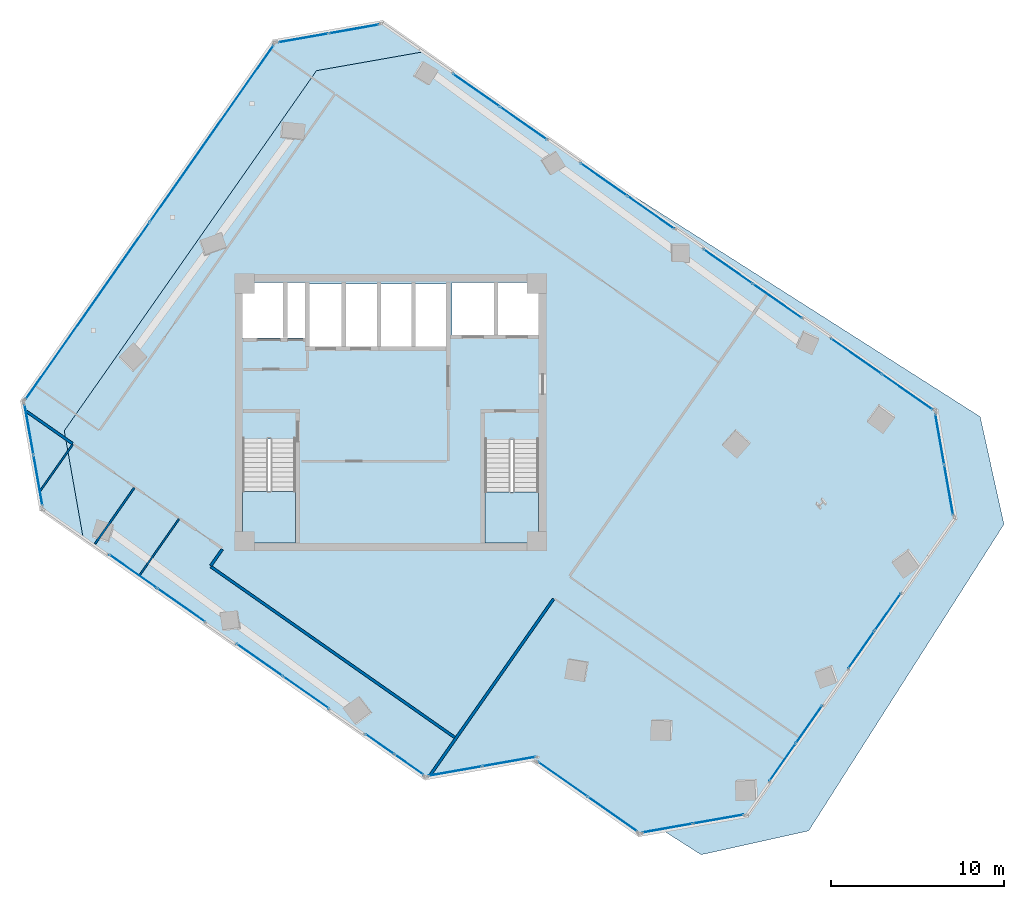
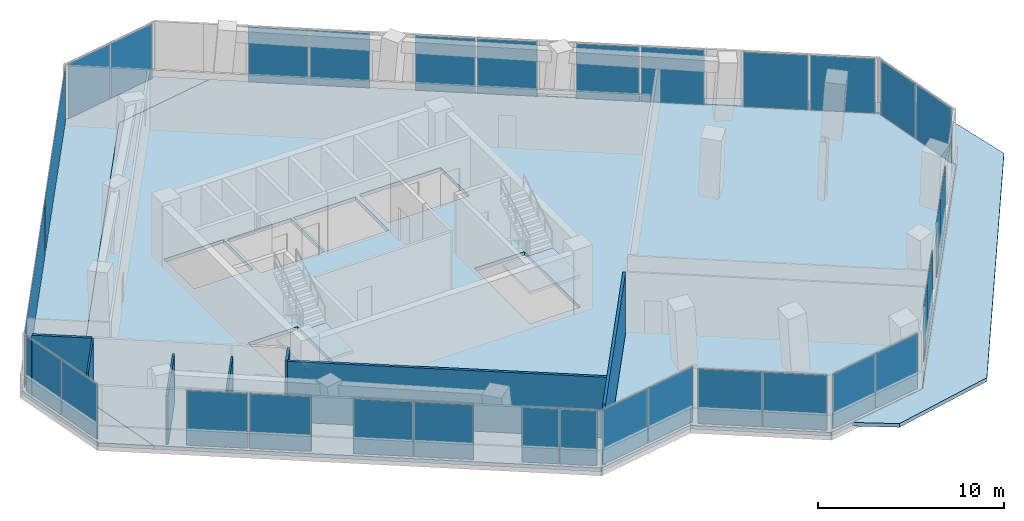
# One storey, part 17 of 22: 32 plates, 7 walls, 5 slabs, 18 elements without a shape of their own.
"""IFC4 building model written with IfcOpenShell, lengths in metres."""

from ifc_helpers import new_model, si_unit, direction, frame, frame_2d, origin, origin_2d, place, context, subcontext, project, spatial, polyline, rectangle, outline, extrude, source, transform, mapped, material, layer, layer_set, type_object, element, aggregate, save


model = new_model("IFC4")

# Units and contexts
model_context = context("Model", 3, precision=1e-05, world=origin(), true_north=direction((0.0, 1.0)))
body_context = subcontext(model_context, "Body", "Model", "MODEL_VIEW")
ifc_project = project(units=[si_unit("LENGTHUNIT", "METRE"), si_unit("AREAUNIT", "SQUARE_METRE"), si_unit("VOLUMEUNIT", "CUBIC_METRE"), si_unit("PLANEANGLEUNIT", "RADIAN"), si_unit("MASSUNIT", "GRAM", prefix="KILO")], contexts=[model_context])

# Site, building, storey
site_placement = place(None, origin())
site = spatial("IfcSite", under=ifc_project, at=site_placement, CompositionType="ELEMENT")
building_placement = place(site_placement, origin())
building = spatial("IfcBuilding", under=site, at=building_placement, Name="Torre Montelarca", CompositionType="ELEMENT")
storey_placement = place(building_placement, frame((0.0, 0.0, 196.0)))
storey = spatial("IfcBuildingStorey", under=building, at=storey_placement, Name="L44", CompositionType="ELEMENT", Elevation=196.0)

# Slabs
ifc_material_1 = material(Name="Concrete C40/50", Category="concrete")
ifc_layer_1 = layer(ifc_material_1, 0.239990234375, Name="Concrete C40/50", Category="concrete")
ifc_layer_set_1 = layer_set([ifc_layer_1], Name="Concrete C40/50")
slab_type_1 = type_object("IfcSlabType", Name="SL-FLR-240", PredefinedType="FLOOR", material=ifc_layer_set_1)
slab_1_placement = place(storey_placement, frame((0.0, 0.0, -0.239990234375)))
element("IfcSlab", 1, at=slab_1_placement, inside=storey, type_object=slab_type_1, Name="L44 Structural Floor Slab", PredefinedType="FLOOR", context=body_context, shape_type="SweptSolid", body=[
    extrude(outline(polyline([(19.98974609375, 10.83935546875), (26.2568359375, 11.944580078125), (26.19970703125, 11.862548828125), (32.34326171875, 7.560791015625), (38.610595703125, 8.666015625), (50.655517578125, 25.8681640625), (49.550537109375, 32.135498046875), (19.97900390625, 52.841552734375), (13.7119140625, 51.736328125), (-0.85693359375, 30.929931640625), (0.248046875, 24.66259765625), (19.98974609375, 10.83935546875)]), holes=[polyline([(26.550048828125, 24.449951171875), (23.43994140625, 24.449951171875), (23.43994140625, 30.429931640625), (26.550048828125, 30.429931640625), (26.550048828125, 24.449951171875)]), polyline([(9.449951171875, 24.449951171875), (9.449951171875, 30.4599609375), (12.5, 30.4599609375), (12.5, 24.449951171875), (9.449951171875, 24.449951171875)]), polyline([(17.25, 35.800048828125), (13.300048828125, 35.800048828125), (13.300048828125, 39.39990234375), (17.25, 39.39990234375), (17.25, 35.800048828125)]), polyline([(21.25, 39.39990234375), (21.25, 35.800048828125), (17.39990234375, 35.800048828125), (17.39990234375, 39.39990234375), (21.25, 39.39990234375)]), polyline([(13.1201171875, 36.300048828125), (9.449951171875, 36.300048828125), (9.449951171875, 39.5), (13.1201171875, 39.5), (13.1201171875, 36.300048828125)]), polyline([(26.60009765625, 36.449951171875), (21.550048828125, 36.449951171875), (21.550048828125, 39.5), (26.60009765625, 39.5), (26.60009765625, 36.449951171875)])]), origin(), (0.0, 0.0, 1.0), 0.239990234375),
])
slab_2_placement = place(storey_placement, frame((0.0, 0.0, -0.239990234375)))
element("IfcSlab", 2, at=slab_2_placement, inside=storey, type_object=slab_type_1, Name="L44 Sliding Tray Winter Garden Floor Slab W1", PredefinedType="FLOOR", context=body_context, shape_type="SweptSolid", body=[
    extrude(outline(polyline([(0.248046875, 24.66259765625), (-0.85693359375, 30.929931640625), (13.7119140625, 51.736328125), (19.97900390625, 52.841552734375), (17.521728515625, 54.562255859375), (11.25439453125, 53.45703125), (-3.314453125, 32.650634765625), (-2.20947265625, 26.38330078125), (0.248046875, 24.66259765625)])), origin(), (0.0, 0.0, 1.0), 0.239990234375),
])
ifc_material_2 = material(Name="Architectural concrete C40/50", Category="concrete")
ifc_layer_2 = layer(ifc_material_2, 0.239990234375, Name="Architectural concrete C40/50", Category="concrete")
ifc_layer_set_2 = layer_set([ifc_layer_2], Name="Architectural concrete C40/50")
slab_type_2 = type_object("IfcSlabType", Name="SL-ROOF-EXT-240", PredefinedType="ROOF", material=ifc_layer_set_2)
slab_3_placement = place(storey_placement, frame((0.0, 0.0, -0.239990234375)))
element("IfcSlab", 3, at=slab_3_placement, inside=storey, type_object=slab_type_2, Name="L43 Setback and Tray Overhang Roof Cap Slab 01", PredefinedType="ROOF", context=body_context, shape_type="SweptSolid", body=[
    extrude(outline(polyline([(49.557861328125, 32.14013671875), (50.6640625, 25.8662109375), (38.615234375, 8.65869140625), (33.7900390625, 7.807861328125), (35.92919921875, 6.445068359375), (42.14208984375, 7.822509765625), (53.425537109375, 25.53369140625), (52.048095703125, 31.746826171875), (30.656982421875, 45.37451171875), (49.557861328125, 32.14013671875)])), origin(), (0.0, 0.0, 1.0), 0.239990234375),
])

# Stair, slab
stair_type_1 = type_object("IfcStairType", Name="ST-CORE-ST1", PredefinedType="HALF_TURN_STAIR", material=ifc_material_1)
stair_1_placement = place(storey_placement, origin())
stair_1 = element("IfcStair", 4, at=stair_1_placement, inside=storey, type_object=stair_type_1, Name="L44 Protected Exit Stair ST1", PredefinedType="HALF_TURN_STAIR")
ifc_layer_3 = layer(ifc_material_1, 0.199951171875, Name="Concrete C40/50", Category="concrete")
ifc_layer_set_3 = layer_set([ifc_layer_3], Name="Concrete C40/50")
slab_type_3 = type_object("IfcSlabType", Name="SL-ST-LAND-ST1", PredefinedType="LANDING", material=ifc_layer_set_3)
slab_4_placement = place(storey_placement, frame((0.0, 0.0, 1.89990234375)))
slab_4 = element("IfcSlab", 5, at=slab_4_placement, type_object=slab_type_3, Name="ST1 landing 1", PredefinedType="LANDING", context=body_context, shape_type="SweptSolid", body=[
    extrude(outline(polyline([(9.449951171875, 27.419921875), (9.449951171875, 24.449951171875), (12.5, 24.449951171875), (12.5, 27.419921875), (9.449951171875, 27.419921875)])), origin(), (0.0, 0.0, 1.0), 0.2001953125),
])
aggregate(stair_1, [slab_4])

stair_type_2 = type_object("IfcStairType", Name="ST-CORE-ST2", PredefinedType="HALF_TURN_STAIR", material=ifc_material_1)
stair_2_placement = place(storey_placement, origin())
stair_2 = element("IfcStair", 6, at=stair_2_placement, inside=storey, type_object=stair_type_2, Name="L44 Protected Exit Stair ST2", PredefinedType="HALF_TURN_STAIR")
ifc_layer_4 = layer(ifc_material_1, 0.199951171875, Name="Concrete C40/50", Category="concrete")
ifc_layer_set_4 = layer_set([ifc_layer_4], Name="Concrete C40/50")
slab_type_4 = type_object("IfcSlabType", Name="SL-ST-LAND-ST2", PredefinedType="LANDING", material=ifc_layer_set_4)
slab_5_placement = place(storey_placement, frame((0.0, 0.0, 1.89990234375)))
slab_5 = element("IfcSlab", 7, at=slab_5_placement, type_object=slab_type_4, Name="ST2 landing 1", PredefinedType="LANDING", context=body_context, shape_type="SweptSolid", body=[
    extrude(outline(polyline([(23.43994140625, 27.389892578125), (23.43994140625, 24.449951171875), (26.550048828125, 24.449951171875), (26.550048828125, 27.389892578125), (23.43994140625, 27.389892578125)])), origin(), (0.0, 0.0, 1.0), 0.2001953125),
])
aggregate(stair_2, [slab_5])

# Curtain wall, plates
ifc_material_3 = material(Name="Insulated low-E laminated glass", Category="glass")
curtain_wall_type = type_object("IfcCurtainWallType", Name="CW-SYS-Z2", PredefinedType="USERDEFINED", material=ifc_material_3)
curtain_wall_1_placement = place(storey_placement, origin())
curtain_wall_1 = element("IfcCurtainWall", 8, at=curtain_wall_1_placement, inside=storey, type_object=curtain_wall_type, Name="L44 Curtain Wall Run CW-T3-L44-E02-B1", ObjectType="UNITISED GLAZING", PredefinedType="USERDEFINED")
ifc_layer_5 = layer(ifc_material_3, 0.031982421875, Name="Insulated low-E laminated glass", Category="glass")
ifc_layer_set_5 = layer_set([ifc_layer_5], Name="Insulated low-E laminated glass")
plate_type = type_object("IfcPlateType", Name="CWP-GLZ-32", PredefinedType="CURTAIN_PANEL", material=ifc_layer_set_5)
shared_shape_1 = source(origin(), body_context, "Body", "SweptSolid", [
    extrude(rectangle(XDim=3.102294921875, YDim=0.031982421875, at=origin_2d()), origin(), (0.0, 0.0, 1.0), 3.590087890625),
])
plate_1_placement = place(storey_placement, frame((21.72216796875, 11.27685546875, 0.06494140625), z_axis=(0.0, 0.0, 1.0), x_axis=(0.984809975216, 0.173635574451, 0.0)))
plate_1 = element("IfcPlate", 9, at=plate_1_placement, type_object=plate_type, Name="CW panel 1.1", PredefinedType="CURTAIN_PANEL", context=body_context, shape_type="MappedRepresentation", body=[
    mapped(shared_shape_1, transform((0.0, 0.0, 0.0), scale=1.0)),
])
plate_2_placement = place(storey_placement, frame((24.84130859375, 11.826904296875, 0.06494140625), z_axis=(0.0, 0.0, 1.0), x_axis=(0.984809975216, 0.173635574451, 0.0)))
plate_2 = element("IfcPlate", 10, at=plate_2_placement, type_object=plate_type, Name="CW panel 2.1", PredefinedType="CURTAIN_PANEL", context=body_context, shape_type="MappedRepresentation", body=[
    mapped(shared_shape_1, transform((0.0, 0.0, 0.0), scale=1.0)),
])
aggregate(curtain_wall_1, [plate_1, plate_2])

curtain_wall_2_placement = place(storey_placement, origin())
curtain_wall_2 = element("IfcCurtainWall", 11, at=curtain_wall_2_placement, inside=storey, type_object=curtain_wall_type, Name="L44 Curtain Wall Run CW-T3-L44-E05-B1", ObjectType="UNITISED GLAZING", PredefinedType="USERDEFINED")
shared_shape_2 = source(origin(), body_context, "Body", "SweptSolid", [
    extrude(rectangle(XDim=2.918701171875, YDim=0.031982421875, at=origin_2d()), origin(), (0.0, 0.0, 1.0), 3.590087890625),
])
plate_3_placement = place(storey_placement, frame((33.985107421875, 7.982421875, 0.06494140625), z_axis=(0.0, 0.0, 1.0), x_axis=(0.984810249404, 0.173634019333, 0.0)))
plate_3 = element("IfcPlate", 12, at=plate_3_placement, type_object=plate_type, Name="CW panel 1.1", PredefinedType="CURTAIN_PANEL", context=body_context, shape_type="MappedRepresentation", body=[
    mapped(shared_shape_2, transform((0.0, 0.0, 0.0), scale=1.0)),
])
plate_4_placement = place(storey_placement, frame((36.92333984375, 8.50048828125, 0.06494140625), z_axis=(0.0, 0.0, 1.0), x_axis=(0.984810249404, 0.173634019333, 0.0)))
plate_4 = element("IfcPlate", 13, at=plate_4_placement, type_object=plate_type, Name="CW panel 2.1", PredefinedType="CURTAIN_PANEL", context=body_context, shape_type="MappedRepresentation", body=[
    mapped(shared_shape_2, transform((0.0, 0.0, 0.0), scale=1.0)),
])
aggregate(curtain_wall_2, [plate_3, plate_4])

curtain_wall_3_placement = place(storey_placement, origin())
curtain_wall_3 = element("IfcCurtainWall", 14, at=curtain_wall_3_placement, inside=storey, type_object=curtain_wall_type, Name="L44 Curtain Wall Run CW-T3-L44-E07-B1", ObjectType="UNITISED GLAZING", PredefinedType="USERDEFINED")
plate_5_placement = place(storey_placement, frame((50.234130859375, 27.510009765625, 0.06494140625), z_axis=(0.0, 0.0, 1.0), x_axis=(-0.173634019333, 0.984810249404, 0.0)))
plate_5 = element("IfcPlate", 15, at=plate_5_placement, type_object=plate_type, Name="CW panel 1.1", PredefinedType="CURTAIN_PANEL", context=body_context, shape_type="MappedRepresentation", body=[
    mapped(shared_shape_2, transform((0.0, 0.0, 0.0), scale=1.0)),
])
plate_6_placement = place(storey_placement, frame((49.716064453125, 30.4482421875, 0.06494140625), z_axis=(0.0, 0.0, 1.0), x_axis=(-0.173634019333, 0.984810249404, 0.0)))
plate_6 = element("IfcPlate", 16, at=plate_6_placement, type_object=plate_type, Name="CW panel 2.1", PredefinedType="CURTAIN_PANEL", context=body_context, shape_type="MappedRepresentation", body=[
    mapped(shared_shape_2, transform((0.0, 0.0, 0.0), scale=1.0)),
])
aggregate(curtain_wall_3, [plate_5, plate_6])

curtain_wall_4_placement = place(storey_placement, origin())
curtain_wall_4 = element("IfcCurtainWall", 17, at=curtain_wall_4_placement, inside=storey, type_object=curtain_wall_type, Name="L44 Curtain Wall Run CW-T3-L44-E09-B1", ObjectType="UNITISED GLAZING", PredefinedType="USERDEFINED")
plate_7_placement = place(storey_placement, frame((15.879638671875, 54.140625, 0.06494140625), z_axis=(0.0, 0.0, 1.0), x_axis=(-0.984810249404, -0.173634019333, 0.0)))
plate_7 = element("IfcPlate", 18, at=plate_7_placement, type_object=plate_type, Name="CW panel 1.1", PredefinedType="CURTAIN_PANEL", context=body_context, shape_type="MappedRepresentation", body=[
    mapped(shared_shape_2, transform((0.0, 0.0, 0.0), scale=1.0)),
])
plate_8_placement = place(storey_placement, frame((12.94140625, 53.62255859375, 0.06494140625), z_axis=(0.0, 0.0, 1.0), x_axis=(-0.984810249404, -0.173634019333, 0.0)))
plate_8 = element("IfcPlate", 19, at=plate_8_placement, type_object=plate_type, Name="CW panel 2.1", PredefinedType="CURTAIN_PANEL", context=body_context, shape_type="MappedRepresentation", body=[
    mapped(shared_shape_2, transform((0.0, 0.0, 0.0), scale=1.0)),
])
aggregate(curtain_wall_4, [plate_7, plate_8])

curtain_wall_5_placement = place(storey_placement, origin())
curtain_wall_5 = element("IfcCurtainWall", 20, at=curtain_wall_5_placement, inside=storey, type_object=curtain_wall_type, Name="L44 Curtain Wall Run CW-T3-L44-E11-B1", ObjectType="UNITISED GLAZING", PredefinedType="USERDEFINED")
shared_shape_3 = source(origin(), body_context, "Body", "SweptSolid", [
    extrude(rectangle(XDim=2.91845703125, YDim=0.031982421875, at=origin_2d()), origin(), (0.0, 0.0, 1.0), 3.590087890625),
])
plate_9_placement = place(storey_placement, frame((-2.892822265625, 31.0087890625, 0.06494140625), z_axis=(0.0, 0.0, 1.0), x_axis=(0.173620775944, -0.984812584282, 0.0)))
plate_9 = element("IfcPlate", 21, at=plate_9_placement, type_object=plate_type, Name="CW panel 1.1", PredefinedType="CURTAIN_PANEL", context=body_context, shape_type="MappedRepresentation", body=[
    mapped(shared_shape_3, transform((0.0, 0.0, 0.0), scale=1.0)),
])
plate_10_placement = place(storey_placement, frame((-2.374755859375, 28.0703125, 0.06494140625), z_axis=(0.0, 0.0, 1.0), x_axis=(0.173620775944, -0.984812584282, 0.0)))
plate_10 = element("IfcPlate", 22, at=plate_10_placement, type_object=plate_type, Name="CW panel 2.1", PredefinedType="CURTAIN_PANEL", context=body_context, shape_type="MappedRepresentation", body=[
    mapped(shared_shape_3, transform((0.0, 0.0, 0.0), scale=1.0)),
])
aggregate(curtain_wall_5, [plate_9, plate_10])

curtain_wall_6_placement = place(storey_placement, origin())
curtain_wall_6 = element("IfcCurtainWall", 23, at=curtain_wall_6_placement, inside=storey, type_object=curtain_wall_type, Name="L44 Curtain Wall Run CW-T3-L44-E08-B2", ObjectType="UNITISED GLAZING", PredefinedType="USERDEFINED")
shared_shape_4 = source(origin(), body_context, "Body", "SweptSolid", [
    extrude(rectangle(XDim=3.422607421875, YDim=0.031982421875, at=origin_2d()), origin(), (0.0, 0.0, 1.0), 3.590087890625),
])
plate_11_placement = place(storey_placement, frame((40.33740234375, 38.427734375, 0.06494140625), z_axis=(0.0, 0.0, 1.0), x_axis=(-0.819149163221, 0.57358055092, 0.0)))
plate_11 = element("IfcPlate", 24, at=plate_11_placement, type_object=plate_type, Name="CW panel 1.1", PredefinedType="CURTAIN_PANEL", context=body_context, shape_type="MappedRepresentation", body=[
    mapped(shared_shape_4, transform((0.0, 0.0, 0.0), scale=1.0)),
])
plate_12_placement = place(storey_placement, frame((37.48046875, 40.42822265625, 0.06494140625), z_axis=(0.0, 0.0, 1.0), x_axis=(-0.819149163221, 0.57358055092, 0.0)))
plate_12 = element("IfcPlate", 25, at=plate_12_placement, type_object=plate_type, Name="CW panel 2.1", PredefinedType="CURTAIN_PANEL", context=body_context, shape_type="MappedRepresentation", body=[
    mapped(shared_shape_4, transform((0.0, 0.0, 0.0), scale=1.0)),
])
aggregate(curtain_wall_6, [plate_11, plate_12])

curtain_wall_7_placement = place(storey_placement, origin())
curtain_wall_7 = element("IfcCurtainWall", 26, at=curtain_wall_7_placement, inside=storey, type_object=curtain_wall_type, Name="L44 Curtain Wall Run CW-T3-L44-E01-B3", ObjectType="UNITISED GLAZING", PredefinedType="USERDEFINED")
shared_shape_5 = source(origin(), body_context, "Body", "SweptSolid", [
    extrude(rectangle(XDim=1.9921875, YDim=0.031982421875, at=origin_2d()), origin(), (0.0, 0.0, 1.0), 3.590087890625),
])
plate_13_placement = place(storey_placement, frame((17.374267578125, 12.82958984375, 0.06494140625), z_axis=(0.0, 0.0, 1.0), x_axis=(0.819158846588, -0.573566721538, 0.0)))
plate_13 = element("IfcPlate", 27, at=plate_13_placement, type_object=plate_type, Name="CW panel 1.1", PredefinedType="CURTAIN_PANEL", context=body_context, shape_type="MappedRepresentation", body=[
    mapped(shared_shape_5, transform((0.0, 0.0, 0.0), scale=1.0)),
])
plate_14_placement = place(storey_placement, frame((19.059326171875, 11.649658203125, 0.06494140625), z_axis=(0.0, 0.0, 1.0), x_axis=(0.819158846588, -0.573566721538, 0.0)))
plate_14 = element("IfcPlate", 28, at=plate_14_placement, type_object=plate_type, Name="CW panel 2.1", PredefinedType="CURTAIN_PANEL", context=body_context, shape_type="MappedRepresentation", body=[
    mapped(shared_shape_5, transform((0.0, 0.0, 0.0), scale=1.0)),
])
aggregate(curtain_wall_7, [plate_13, plate_14])

curtain_wall_8_placement = place(storey_placement, origin())
curtain_wall_8 = element("IfcCurtainWall", 29, at=curtain_wall_8_placement, inside=storey, type_object=curtain_wall_type, Name="L44 Curtain Wall Run CW-T3-L44-E01-B1", ObjectType="UNITISED GLAZING", PredefinedType="USERDEFINED")
shared_shape_6 = source(origin(), body_context, "Body", "SweptSolid", [
    extrude(rectangle(XDim=3.328857421875, YDim=0.031982421875, at=origin_2d()), origin(), (0.0, 0.0, 1.0), 3.590087890625),
])
plate_15_placement = place(storey_placement, frame((3.115478515625, 22.8134765625, 0.06494140625), z_axis=(0.0, 0.0, 1.0), x_axis=(0.819157874495, -0.573568109864, 0.0)))
plate_15 = element("IfcPlate", 30, at=plate_15_placement, type_object=plate_type, Name="CW panel 1.1", PredefinedType="CURTAIN_PANEL", context=body_context, shape_type="MappedRepresentation", body=[
    mapped(shared_shape_6, transform((0.0, 0.0, 0.0), scale=1.0)),
])
plate_16_placement = place(storey_placement, frame((5.895751953125, 20.866943359375, 0.06494140625), z_axis=(0.0, 0.0, 1.0), x_axis=(0.819157874495, -0.573568109864, 0.0)))
plate_16 = element("IfcPlate", 31, at=plate_16_placement, type_object=plate_type, Name="CW panel 2.1", PredefinedType="CURTAIN_PANEL", context=body_context, shape_type="MappedRepresentation", body=[
    mapped(shared_shape_6, transform((0.0, 0.0, 0.0), scale=1.0)),
])
aggregate(curtain_wall_8, [plate_15, plate_16])

curtain_wall_9_placement = place(storey_placement, origin())
curtain_wall_9 = element("IfcCurtainWall", 32, at=curtain_wall_9_placement, inside=storey, type_object=curtain_wall_type, Name="L44 Curtain Wall Run CW-T3-L44-E01-B2", ObjectType="UNITISED GLAZING", PredefinedType="USERDEFINED")
shared_shape_7 = source(origin(), body_context, "Body", "SweptSolid", [
    extrude(rectangle(XDim=3.19677734375, YDim=0.031982421875, at=origin_2d()), origin(), (0.0, 0.0, 1.0), 3.590087890625),
])
plate_17_placement = place(storey_placement, frame((10.433837890625, 17.689208984375, 0.06494140625), z_axis=(0.0, 0.0, 1.0), x_axis=(0.819155614484, -0.573571337551, 0.0)))
plate_17 = element("IfcPlate", 33, at=plate_17_placement, type_object=plate_type, Name="CW panel 1.1", PredefinedType="CURTAIN_PANEL", context=body_context, shape_type="MappedRepresentation", body=[
    mapped(shared_shape_7, transform((0.0, 0.0, 0.0), scale=1.0)),
])
plate_18_placement = place(storey_placement, frame((13.105712890625, 15.818359375, 0.06494140625), z_axis=(0.0, 0.0, 1.0), x_axis=(0.819155614484, -0.573571337551, 0.0)))
plate_18 = element("IfcPlate", 34, at=plate_18_placement, type_object=plate_type, Name="CW panel 2.1", PredefinedType="CURTAIN_PANEL", context=body_context, shape_type="MappedRepresentation", body=[
    mapped(shared_shape_7, transform((0.0, 0.0, 0.0), scale=1.0)),
])
aggregate(curtain_wall_9, [plate_17, plate_18])

curtain_wall_10_placement = place(storey_placement, origin())
curtain_wall_10 = element("IfcCurtainWall", 35, at=curtain_wall_10_placement, inside=storey, type_object=curtain_wall_type, Name="L44 Curtain Wall Run CW-T3-L44-E08-B3", ObjectType="UNITISED GLAZING", PredefinedType="USERDEFINED")
shared_shape_8 = source(origin(), body_context, "Body", "SweptSolid", [
    extrude(rectangle(XDim=3.2568359375, YDim=0.031982421875, at=origin_2d()), origin(), (0.0, 0.0, 1.0), 3.590087890625),
])
plate_19_placement = place(storey_placement, frame((33.03271484375, 43.54248046875, 0.06494140625), z_axis=(0.0, 0.0, 1.0), x_axis=(-0.819153480405, 0.573574385359, 0.0)))
plate_19 = element("IfcPlate", 36, at=plate_19_placement, type_object=plate_type, Name="CW panel 1.1", PredefinedType="CURTAIN_PANEL", context=body_context, shape_type="MappedRepresentation", body=[
    mapped(shared_shape_8, transform((0.0, 0.0, 0.0), scale=1.0)),
])
plate_20_placement = place(storey_placement, frame((30.311767578125, 45.44775390625, 0.06494140625), z_axis=(0.0, 0.0, 1.0), x_axis=(-0.819153480405, 0.573574385359, 0.0)))
plate_20 = element("IfcPlate", 37, at=plate_20_placement, type_object=plate_type, Name="CW panel 2.1", PredefinedType="CURTAIN_PANEL", context=body_context, shape_type="MappedRepresentation", body=[
    mapped(shared_shape_8, transform((0.0, 0.0, 0.0), scale=1.0)),
])
aggregate(curtain_wall_10, [plate_19, plate_20])

curtain_wall_11_placement = place(storey_placement, origin())
curtain_wall_11 = element("IfcCurtainWall", 38, at=curtain_wall_11_placement, inside=storey, type_object=curtain_wall_type, Name="L44 Curtain Wall Run CW-T3-L44-E08-B4", ObjectType="UNITISED GLAZING", PredefinedType="USERDEFINED")
shared_shape_9 = source(origin(), body_context, "Body", "SweptSolid", [
    extrude(rectangle(XDim=3.255859375, YDim=0.031982421875, at=origin_2d()), origin(), (0.0, 0.0, 1.0), 3.590087890625),
])
plate_21_placement = place(storey_placement, frame((25.660888671875, 48.704345703125, 0.06494140625), z_axis=(0.0, 0.0, 1.0), x_axis=(-0.819154156712, 0.573573419487, 0.0)))
plate_21 = element("IfcPlate", 39, at=plate_21_placement, type_object=plate_type, Name="CW panel 1.1", PredefinedType="CURTAIN_PANEL", context=body_context, shape_type="MappedRepresentation", body=[
    mapped(shared_shape_9, transform((0.0, 0.0, 0.0), scale=1.0)),
])
plate_22_placement = place(storey_placement, frame((22.940673828125, 50.609130859375, 0.06494140625), z_axis=(0.0, 0.0, 1.0), x_axis=(-0.819154156712, 0.573573419487, 0.0)))
plate_22 = element("IfcPlate", 40, at=plate_22_placement, type_object=plate_type, Name="CW panel 2.1", PredefinedType="CURTAIN_PANEL", context=body_context, shape_type="MappedRepresentation", body=[
    mapped(shared_shape_9, transform((0.0, 0.0, 0.0), scale=1.0)),
])
aggregate(curtain_wall_11, [plate_21, plate_22])

curtain_wall_12_placement = place(storey_placement, origin())
curtain_wall_12 = element("IfcCurtainWall", 41, at=curtain_wall_12_placement, inside=storey, type_object=curtain_wall_type, Name="L44 Curtain Wall Run CW-T3-L44-E04-B1", ObjectType="UNITISED GLAZING", PredefinedType="USERDEFINED")
shared_shape_10 = source(origin(), body_context, "Body", "SweptSolid", [
    extrude(rectangle(XDim=3.44873046875, YDim=0.031982421875, at=origin_2d()), origin(), (0.0, 0.0, 1.0), 3.590087890625),
])
plate_23_placement = place(storey_placement, frame((27.93798828125, 10.803955078125, 0.06494140625), z_axis=(0.0, 0.0, 1.0), x_axis=(0.819165011136, -0.57355791733, 0.0)))
plate_23 = element("IfcPlate", 42, at=plate_23_placement, type_object=plate_type, Name="CW panel 1.1", PredefinedType="CURTAIN_PANEL", context=body_context, shape_type="MappedRepresentation", body=[
    mapped(shared_shape_10, transform((0.0, 0.0, 0.0), scale=1.0)),
])
plate_24_placement = place(storey_placement, frame((30.816162109375, 8.788818359375, 0.06494140625), z_axis=(0.0, 0.0, 1.0), x_axis=(0.819165011136, -0.57355791733, 0.0)))
plate_24 = element("IfcPlate", 43, at=plate_24_placement, type_object=plate_type, Name="CW panel 2.1", PredefinedType="CURTAIN_PANEL", context=body_context, shape_type="MappedRepresentation", body=[
    mapped(shared_shape_10, transform((0.0, 0.0, 0.0), scale=1.0)),
])
aggregate(curtain_wall_12, [plate_23, plate_24])

curtain_wall_13_placement = place(storey_placement, origin())
curtain_wall_13 = element("IfcCurtainWall", 44, at=curtain_wall_13_placement, inside=storey, type_object=curtain_wall_type, Name="L44 Curtain Wall Run CW-T3-L44-E08-B1", ObjectType="UNITISED GLAZING", PredefinedType="USERDEFINED")
shared_shape_11 = source(origin(), body_context, "Body", "SweptSolid", [
    extrude(rectangle(XDim=3.529541015625, YDim=0.031982421875, at=origin_2d()), origin(), (0.0, 0.0, 1.0), 3.590087890625),
])
plate_25_placement = place(storey_placement, frame((47.84130859375, 33.173583984375, 0.06494140625), z_axis=(0.0, 0.0, 1.0), x_axis=(-0.819156787617, 0.573569662117, 0.0)))
plate_25 = element("IfcPlate", 45, at=plate_25_placement, type_object=plate_type, Name="CW panel 1.1", PredefinedType="CURTAIN_PANEL", context=body_context, shape_type="MappedRepresentation", body=[
    mapped(shared_shape_11, transform((0.0, 0.0, 0.0), scale=1.0)),
])
plate_26_placement = place(storey_placement, frame((44.896728515625, 35.2353515625, 0.06494140625), z_axis=(0.0, 0.0, 1.0), x_axis=(-0.819156787617, 0.573569662117, 0.0)))
plate_26 = element("IfcPlate", 46, at=plate_26_placement, type_object=plate_type, Name="CW panel 2.1", PredefinedType="CURTAIN_PANEL", context=body_context, shape_type="MappedRepresentation", body=[
    mapped(shared_shape_11, transform((0.0, 0.0, 0.0), scale=1.0)),
])
aggregate(curtain_wall_13, [plate_25, plate_26])

curtain_wall_14_placement = place(storey_placement, origin())
curtain_wall_14 = element("IfcCurtainWall", 47, at=curtain_wall_14_placement, inside=storey, type_object=curtain_wall_type, Name="L44 Curtain Wall Run CW-T3-L44-E10-B1", ObjectType="UNITISED GLAZING", PredefinedType="USERDEFINED")
shared_shape_12 = source(origin(), body_context, "Body", "SweptSolid", [
    extrude(rectangle(XDim=12.436767578125, YDim=0.031982421875, at=origin_2d()), origin(), (0.0, 0.0, 1.0), 3.590087890625),
])
plate_27_placement = place(storey_placement, frame((7.661865234375, 48.099609375, 0.06494140625), z_axis=(0.0, 0.0, 1.0), x_axis=(-0.573568626271, -0.81915751291, 0.0)))
plate_27 = element("IfcPlate", 48, at=plate_27_placement, type_object=plate_type, Name="CW panel 1.1", PredefinedType="CURTAIN_PANEL", context=body_context, shape_type="MappedRepresentation", body=[
    mapped(shared_shape_12, transform((0.0, 0.0, 0.0), scale=1.0)),
])
plate_28_placement = place(storey_placement, frame((0.4912109375, 37.85888671875, 0.06494140625), z_axis=(0.0, 0.0, 1.0), x_axis=(-0.573568626271, -0.81915751291, 0.0)))
plate_28 = element("IfcPlate", 49, at=plate_28_placement, type_object=plate_type, Name="CW panel 2.1", PredefinedType="CURTAIN_PANEL", context=body_context, shape_type="MappedRepresentation", body=[
    mapped(shared_shape_12, transform((0.0, 0.0, 0.0), scale=1.0)),
])
aggregate(curtain_wall_14, [plate_27, plate_28])

curtain_wall_15_placement = place(storey_placement, origin())
curtain_wall_15 = element("IfcCurtainWall", 50, at=curtain_wall_15_placement, inside=storey, type_object=curtain_wall_type, Name="L44 Curtain Wall Run CW-T3-L44-E06-B1", ObjectType="UNITISED GLAZING", PredefinedType="USERDEFINED")
shared_shape_13 = source(origin(), body_context, "Body", "SweptSolid", [
    extrude(rectangle(XDim=2.595947265625, YDim=0.031982421875, at=origin_2d()), origin(), (0.0, 0.0, 1.0), 3.590087890625),
])
plate_29_placement = place(storey_placement, frame((40.636474609375, 11.7861328125, 0.06494140625), z_axis=(0.0, 0.0, 1.0), x_axis=(0.573566991509, 0.819158657557, 0.0)))
plate_29 = element("IfcPlate", 51, at=plate_29_placement, type_object=plate_type, Name="CW panel 1.1", PredefinedType="CURTAIN_PANEL", context=body_context, shape_type="MappedRepresentation", body=[
    mapped(shared_shape_13, transform((0.0, 0.0, 0.0), scale=1.0)),
])
plate_30_placement = place(storey_placement, frame((42.162841796875, 13.9658203125, 0.06494140625), z_axis=(0.0, 0.0, 1.0), x_axis=(0.573566991509, 0.819158657557, 0.0)))
plate_30 = element("IfcPlate", 52, at=plate_30_placement, type_object=plate_type, Name="CW panel 2.1", PredefinedType="CURTAIN_PANEL", context=body_context, shape_type="MappedRepresentation", body=[
    mapped(shared_shape_13, transform((0.0, 0.0, 0.0), scale=1.0)),
])
aggregate(curtain_wall_15, [plate_29, plate_30])

curtain_wall_16_placement = place(storey_placement, origin())
curtain_wall_16 = element("IfcCurtainWall", 53, at=curtain_wall_16_placement, inside=storey, type_object=curtain_wall_type, Name="L44 Curtain Wall Run CW-T3-L44-E06-B2", ObjectType="UNITISED GLAZING", PredefinedType="USERDEFINED")
shared_shape_14 = source(origin(), body_context, "Body", "SweptSolid", [
    extrude(rectangle(XDim=2.59521484375, YDim=0.031982421875, at=origin_2d()), origin(), (0.0, 0.0, 1.0), 3.590087890625),
])
plate_31_placement = place(storey_placement, frame((45.181884765625, 18.27734375, 0.06494140625), z_axis=(0.0, 0.0, 1.0), x_axis=(0.573573257317, 0.819154270264, 0.0)))
plate_31 = element("IfcPlate", 54, at=plate_31_placement, type_object=plate_type, Name="CW panel 1.1", PredefinedType="CURTAIN_PANEL", context=body_context, shape_type="MappedRepresentation", body=[
    mapped(shared_shape_14, transform((0.0, 0.0, 0.0), scale=1.0)),
])
plate_32_placement = place(storey_placement, frame((46.70751953125, 20.45654296875, 0.06494140625), z_axis=(0.0, 0.0, 1.0), x_axis=(0.573573257317, 0.819154270264, 0.0)))
plate_32 = element("IfcPlate", 55, at=plate_32_placement, type_object=plate_type, Name="CW panel 2.1", PredefinedType="CURTAIN_PANEL", context=body_context, shape_type="MappedRepresentation", body=[
    mapped(shared_shape_14, transform((0.0, 0.0, 0.0), scale=1.0)),
])
aggregate(curtain_wall_16, [plate_31, plate_32])

# Walls
ifc_material_4 = material(Name="Gypsum plasterboard on steel stud", Category="steel")
ifc_layer_6 = layer(ifc_material_4, 0.159912109375, Name="Gypsum plasterboard on steel stud", Category="steel")
ifc_layer_set_6 = layer_set([ifc_layer_6], Name="Gypsum plasterboard on steel stud")
wall_type_1 = type_object("IfcWallType", Name="PW-FIRE-160", PredefinedType="PARTITIONING", material=ifc_layer_set_6)
wall_1_placement = place(storey_placement, frame((-3.038330078125, 32.0546875, 0.0), z_axis=(0.0, 0.0, 1.0), x_axis=(0.819122229171, -0.573619014397, 0.0)))
element("IfcWall", 56, at=wall_1_placement, inside=storey, type_object=wall_type_1, Name="L44 Interior Partition W-L44-SOCCW", PredefinedType="PARTITIONING", context=body_context, shape_type="SweptSolid", body=[
    extrude(rectangle(XDim=3.241943359375, YDim=0.159912109375, at=frame_2d((1.62109375, 0.0))), origin(), (0.0, 0.0, 1.0), 3.9599609375),
])
wall_2_placement = place(storey_placement, frame((8.269287109375, 24.087890625, 0.0), z_axis=(0.0, 0.0, 1.0), x_axis=(-0.573787211882, -0.819004417253, 0.0)))
element("IfcWall", 57, at=wall_2_placement, inside=storey, type_object=wall_type_1, Name="L44 Interior Partition W-L44-SOCCW2", PredefinedType="PARTITIONING", context=body_context, shape_type="SweptSolid", body=[
    extrude(rectangle(XDim=1.159912109375, YDim=0.159912109375, at=frame_2d((0.580078125, 0.0))), origin(), (0.0, 0.0, 1.0), 3.9599609375),
])
wall_3_placement = place(storey_placement, frame((7.613525390625, 23.082275390625, 0.0), z_axis=(0.0, 0.0, 1.0), x_axis=(0.819144092075, -0.573587793123, 0.0)))
element("IfcWall", 58, at=wall_3_placement, inside=storey, type_object=wall_type_1, Name="L44 Interior Partition W-L44-SOCCN2", PredefinedType="PARTITIONING", context=body_context, shape_type="SweptSolid", body=[
    extrude(rectangle(XDim=17.239990234375, YDim=0.159912109375, at=frame_2d((8.6201171875, 0.0))), origin(), (0.0, 0.0, 1.0), 3.9599609375),
])
wall_4_placement = place(storey_placement, frame((20.293212890625, 11.06396484375, 0.0), z_axis=(0.0, 0.0, 1.0), x_axis=(0.573585209026, 0.819145901526, 0.0)))
element("IfcWall", 59, at=wall_4_placement, inside=storey, type_object=wall_type_1, Name="L44 Interior Partition W-L44-ECS", PredefinedType="PARTITIONING", context=body_context, shape_type="SweptSolid", body=[
    extrude(rectangle(XDim=12.40185546875, YDim=0.159912109375, at=frame_2d((6.200927734375, 0.0))), origin(), (0.0, 0.0, 1.0), 3.9599609375),
])
ifc_material_5 = material(Name="Acoustic laminated glass partition", Category="glass")
ifc_layer_7 = layer(ifc_material_5, 0.10009765625, Name="Acoustic laminated glass partition", Category="glass")
ifc_layer_set_7 = layer_set([ifc_layer_7], Name="Acoustic laminated glass partition")
wall_type_2 = type_object("IfcWallType", Name="PW-GLAZ-100", PredefinedType="PARTITIONING", material=ifc_layer_set_7)
wall_5_placement = place(storey_placement, frame((-2.232421875, 27.483642578125, 0.0), z_axis=(0.0, 0.0, 1.0), x_axis=(0.573583631645, 0.819147006043, 0.0)))
element("IfcWall", 60, at=wall_5_placement, inside=storey, type_object=wall_type_2, Name="L44 Interior Partition W-L44-WCW", PredefinedType="PARTITIONING", context=body_context, shape_type="SweptSolid", body=[
    extrude(rectangle(XDim=3.2421875, YDim=0.10009765625, at=frame_2d((1.62109375, 0.0))), origin(), (0.0, 0.0, 1.0), 3.9599609375),
])
wall_6_placement = place(storey_placement, frame((3.5048828125, 22.601806640625, 0.0), z_axis=(0.0, 0.0, 1.0), x_axis=(0.573624108016, 0.819118662163, 0.0)))
element("IfcWall", 61, at=wall_6_placement, inside=storey, type_object=wall_type_2, Name="L44 Interior Partition W-L44-SWCDIV", PredefinedType="PARTITIONING", context=body_context, shape_type="SweptSolid", body=[
    extrude(rectangle(XDim=3.9501953125, YDim=0.10009765625, at=frame_2d((1.97509765625, 0.0))), origin(), (0.0, 0.0, 1.0), 3.195068359375),
])
ifc_layer_8 = layer(ifc_material_4, 0.114990234375, Name="Gypsum plasterboard on steel stud", Category="steel")
ifc_layer_set_8 = layer_set([ifc_layer_8], Name="Gypsum plasterboard on steel stud")
wall_type_3 = type_object("IfcWallType", Name="PW-PART-115", PredefinedType="PARTITIONING", material=ifc_layer_set_8)
wall_7_placement = place(storey_placement, frame((0.9248046875, 24.40869140625, 0.0), z_axis=(0.0, 0.0, 1.0), x_axis=(0.573582636552, 0.819147702826, 0.0)))
element("IfcWall", 62, at=wall_7_placement, inside=storey, type_object=wall_type_3, Name="L44 Interior Partition W-L44-WCD", PredefinedType="PARTITIONING", context=body_context, shape_type="SweptSolid", body=[
    extrude(rectangle(XDim=3.949951171875, YDim=0.114990234375, at=frame_2d((1.97509765625, 0.0))), origin(), (0.0, 0.0, 1.0), 3.195068359375),
])

save(model, "model.ifc")
